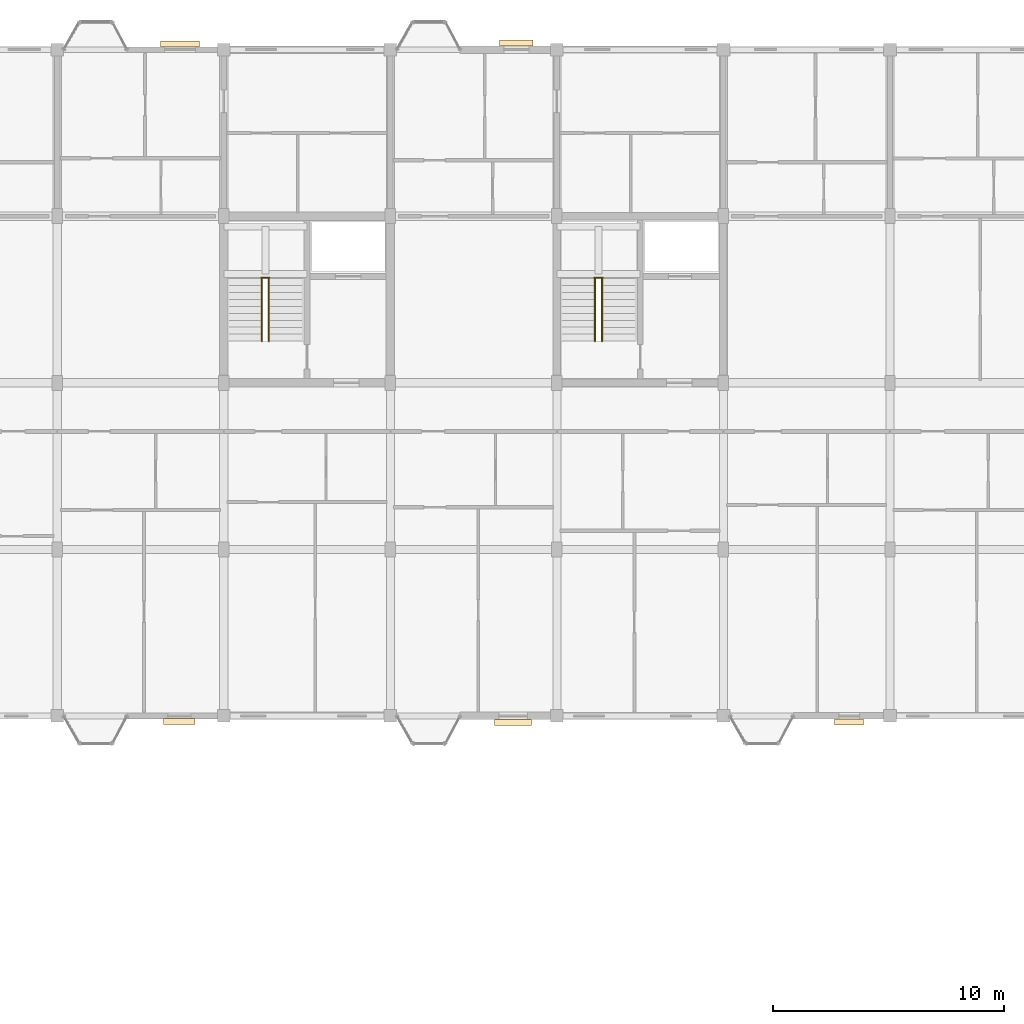
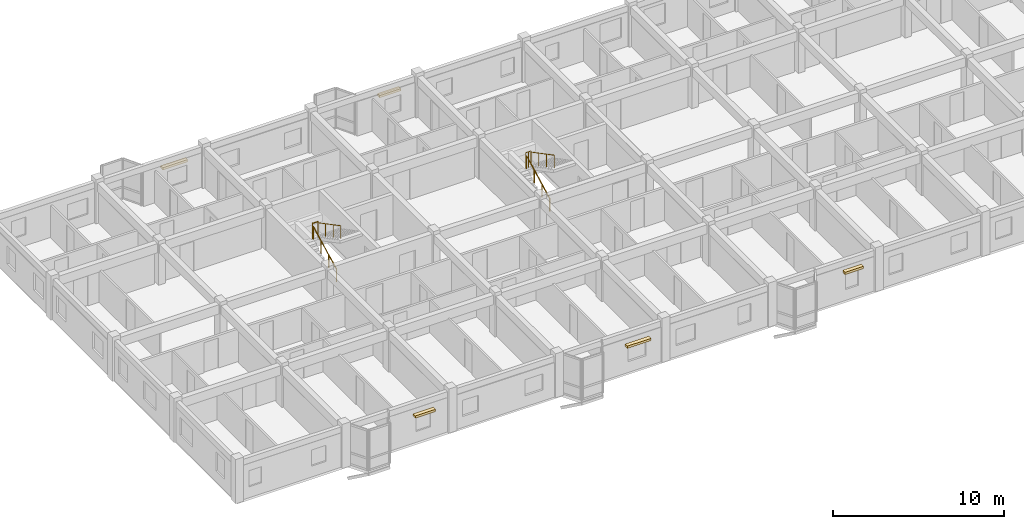
# One storey, part 77 of 77: 6 railings, 5 coverings.
"""IFC4 building model written with IfcOpenShell, lengths in metres."""

from ifc_helpers import new_model, si_unit, direction, frame, origin, origin_2d, place, context, subcontext, project, spatial, rectangle, circle, extrude, material, layer, layer_set, type_object, element, save


model = new_model("IFC4")

# Units and contexts
model_context = context("Model", 3, precision=1e-05, world=origin(), true_north=direction((0.0, 1.0)))
body_context = subcontext(model_context, "Body", "Model", "MODEL_VIEW")
ifc_project = project(units=[si_unit("LENGTHUNIT", "METRE"), si_unit("AREAUNIT", "SQUARE_METRE"), si_unit("VOLUMEUNIT", "CUBIC_METRE"), si_unit("PLANEANGLEUNIT", "RADIAN"), si_unit("MASSUNIT", "GRAM", prefix="KILO"), si_unit("THERMODYNAMICTEMPERATUREUNIT", "KELVIN"), si_unit("POWERUNIT", "WATT")], contexts=[model_context])

# Site, building, storey
site_placement = place(None, origin())
site = spatial("IfcSite", under=ifc_project, at=site_placement, CompositionType="ELEMENT")
building_placement = place(site_placement, origin())
building = spatial("IfcBuilding", under=site, at=building_placement, Name="Tavuni Mirador Residences", CompositionType="ELEMENT")
storey_placement = place(building_placement, frame((0.0, 0.0, 17.10009765625)))
storey = spatial("IfcBuildingStorey", under=building, at=storey_placement, Name="L05", CompositionType="ELEMENT", Elevation=17.10009765625)

# Coverings
ifc_material_1 = material(Name="Natural coral limestone", Category="masonry")
ifc_layer = layer(ifc_material_1, 0.054931640625, Name="Natural coral limestone", Category="masonry")
ifc_layer_set = layer_set([ifc_layer], Name="Natural coral limestone")
covering_type = type_object("IfcCoveringType", Name="CVT-CLAD-CORAL", PredefinedType="CLADDING", material=ifc_layer_set)
covering_1_placement = place(storey_placement, frame((23.282470703125, 143.75048828125, 1.94970703125), z_axis=(0.0, 0.0, 1.0), x_axis=(1.0, 0.0, 0.0)))
element("IfcCovering", 1, at=covering_1_placement, inside=storey, type_object=covering_type, Name="HOOD-0657", PredefinedType="CLADDING", context=body_context, shape_type="SweptSolid", body=[
    extrude(rectangle(XDim=1.360107421875, YDim=0.260009765625, at=origin_2d()), origin(), (0.0, 0.0, 1.0), 0.159912109375),
])
covering_2_placement = place(storey_placement, frame((37.70751953125, 143.715576171875, 1.94970703125), z_axis=(0.0, 0.0, 1.0), x_axis=(1.0, 0.0, 0.0)))
element("IfcCovering", 2, at=covering_2_placement, inside=storey, type_object=covering_type, Name="HOOD-0658", PredefinedType="CLADDING", context=body_context, shape_type="SweptSolid", body=[
    extrude(rectangle(XDim=1.60009765625, YDim=0.260009765625, at=origin_2d()), origin(), (0.0, 0.0, 1.0), 0.159912109375),
])
covering_3_placement = place(storey_placement, frame((52.232421875, 143.72802734375, 2.06005859375), z_axis=(0.0, 0.0, 1.0), x_axis=(1.0, 0.0, 0.0)))
element("IfcCovering", 3, at=covering_3_placement, inside=storey, type_object=covering_type, Name="HOOD-0659", PredefinedType="CLADDING", context=body_context, shape_type="SweptSolid", body=[
    extrude(rectangle(XDim=1.239990234375, YDim=0.260009765625, at=origin_2d()), origin(), (0.0, 0.0, 1.0), 0.159912109375),
])
covering_4_placement = place(storey_placement, frame((37.847412109375, 173.08447265625, 1.94970703125), z_axis=(0.0, 0.0, 1.0), x_axis=(-1.0, 0.0, 0.0)))
element("IfcCovering", 4, at=covering_4_placement, inside=storey, type_object=covering_type, Name="HOOD-0660", PredefinedType="CLADDING", context=body_context, shape_type="SweptSolid", body=[
    extrude(rectangle(XDim=1.43994140625, YDim=0.260009765625, at=origin_2d()), origin(), (0.0, 0.0, 1.0), 0.159912109375),
])
covering_5_placement = place(storey_placement, frame((23.3076171875, 173.049560546875, 1.94970703125), z_axis=(0.0, 0.0, 1.0), x_axis=(-1.0, 0.0, 0.0)))
element("IfcCovering", 5, at=covering_5_placement, inside=storey, type_object=covering_type, Name="HOOD-0661", PredefinedType="CLADDING", context=body_context, shape_type="SweptSolid", body=[
    extrude(rectangle(XDim=1.679931640625, YDim=0.260009765625, at=origin_2d()), origin(), (0.0, 0.0, 1.0), 0.159912109375),
])

# Railings
ifc_material_2 = material(Name="Structural steel S355", Category="steel")
railing_type_1 = type_object("IfcRailingType", Name="RT-GR1120", PredefinedType="GUARDRAIL", material=ifc_material_2)
railing_1_placement = place(storey_placement, frame((26.820068359375, 162.93994140625, 1.574951171875)))
element("IfcRailing", 6, at=railing_1_placement, inside=storey, type_object=railing_type_1, Name="GRD-HL-ST5-L05", PredefinedType="GUARDRAIL", context=body_context, shape_type="SweptSolid", body=[
    extrude(circle(Radius=0.02392578125, at=origin_2d()), frame((0.0, 0.0, 1.09619140625), z_axis=(1.0, 0.0, 0.0), x_axis=(0.0, 1.0, 0.0)), (0.0, 0.0, 1.0), 0.35986328125),
    extrude(circle(Radius=0.02099609375, at=origin_2d()), origin(), (0.0, 0.0, 1.0), 1.072021484375),
    extrude(circle(Radius=0.02099609375, at=origin_2d()), frame((0.35986328125, 0.0, 0.0)), (0.0, 0.0, 1.0), 1.072021484375),
])
railing_2_placement = place(storey_placement, frame((41.219970703125, 162.93994140625, 1.574951171875)))
element("IfcRailing", 7, at=railing_2_placement, inside=storey, type_object=railing_type_1, Name="GRD-HL-ST6-L05", PredefinedType="GUARDRAIL", context=body_context, shape_type="SweptSolid", body=[
    extrude(circle(Radius=0.02392578125, at=origin_2d()), frame((0.0, 0.0, 1.09619140625), z_axis=(1.0, 0.0, 0.0), x_axis=(0.0, 1.0, 0.0)), (0.0, 0.0, 1.0), 0.360107421875),
    extrude(circle(Radius=0.02099609375, at=origin_2d()), origin(), (0.0, 0.0, 1.0), 1.072021484375),
    extrude(circle(Radius=0.02099609375, at=origin_2d()), frame((0.18017578125, 0.0, 0.0)), (0.0, 0.0, 1.0), 1.072021484375),
    extrude(circle(Radius=0.02099609375, at=origin_2d()), frame((0.360107421875, 0.0, 0.0)), (0.0, 0.0, 1.0), 1.072021484375),
])
railing_type_2 = type_object("IfcRailingType", Name="RT-HR920", PredefinedType="HANDRAIL", material=ifc_material_2)
railing_3_placement = place(storey_placement, frame((26.85009765625, 160.199951171875, 0.157470703125)))
element("IfcRailing", 8, at=railing_3_placement, inside=storey, type_object=railing_type_2, Name="HR-ST5-L05-F1", PredefinedType="HANDRAIL", context=body_context, shape_type="SweptSolid", body=[
    extrude(circle(Radius=0.02392578125, at=origin_2d()), frame((0.0, 0.0, 0.89599609375), z_axis=(0.0, 0.885397079081, 0.464835468048), x_axis=(-1.0, 0.0, 0.0)), (0.0, 0.0, 1.0), 3.04931640625),
    extrude(circle(Radius=0.02099609375, at=origin_2d()), origin(), (0.0, 0.0, 1.0), 0.871826171875),
    extrude(circle(Radius=0.02099609375, at=origin_2d()), frame((0.0, 0.89990234375, 0.472412109375)), (0.0, 0.0, 1.0), 0.871826171875),
    extrude(circle(Radius=0.02099609375, at=origin_2d()), frame((0.0, 1.800048828125, 0.945068359375)), (0.0, 0.0, 1.0), 0.871826171875),
    extrude(circle(Radius=0.02099609375, at=origin_2d()), frame((0.0, 2.699951171875, 1.41748046875)), (0.0, 0.0, 1.0), 0.871826171875),
])
railing_4_placement = place(storey_placement, frame((27.14990234375, 162.89990234375, 1.732421875)))
element("IfcRailing", 9, at=railing_4_placement, inside=storey, type_object=railing_type_2, Name="HR-ST5-L05-F2", PredefinedType="HANDRAIL", context=body_context, shape_type="SweptSolid", body=[
    extrude(circle(Radius=0.02392578125, at=origin_2d()), frame((0.0, 0.0, 0.89599609375), z_axis=(0.0, -0.885397079081, 0.464835468048), x_axis=(1.0, 0.0, 0.0)), (0.0, 0.0, 1.0), 3.04931640625),
    extrude(circle(Radius=0.02099609375, at=origin_2d()), origin(), (0.0, 0.0, 1.0), 0.871826171875),
    extrude(circle(Radius=0.02099609375, at=origin_2d()), frame((0.0, -0.89990234375, 0.472412109375)), (0.0, 0.0, 1.0), 0.871826171875),
    extrude(circle(Radius=0.02099609375, at=origin_2d()), frame((0.0, -1.800048828125, 0.945068359375)), (0.0, 0.0, 1.0), 0.871826171875),
    extrude(circle(Radius=0.02099609375, at=origin_2d()), frame((0.0, -2.699951171875, 1.41748046875)), (0.0, 0.0, 1.0), 0.871826171875),
])
railing_5_placement = place(storey_placement, frame((41.25, 160.199951171875, 0.157470703125)))
element("IfcRailing", 10, at=railing_5_placement, inside=storey, type_object=railing_type_2, Name="HR-ST6-L05-F1", PredefinedType="HANDRAIL", context=body_context, shape_type="SweptSolid", body=[
    extrude(circle(Radius=0.02392578125, at=origin_2d()), frame((0.0, 0.0, 0.89599609375), z_axis=(0.0, 0.885397079081, 0.464835468048), x_axis=(-1.0, 0.0, 0.0)), (0.0, 0.0, 1.0), 3.04931640625),
    extrude(circle(Radius=0.02099609375, at=origin_2d()), origin(), (0.0, 0.0, 1.0), 0.871826171875),
    extrude(circle(Radius=0.02099609375, at=origin_2d()), frame((0.0, 0.89990234375, 0.472412109375)), (0.0, 0.0, 1.0), 0.871826171875),
    extrude(circle(Radius=0.02099609375, at=origin_2d()), frame((0.0, 1.800048828125, 0.945068359375)), (0.0, 0.0, 1.0), 0.871826171875),
    extrude(circle(Radius=0.02099609375, at=origin_2d()), frame((0.0, 2.699951171875, 1.41748046875)), (0.0, 0.0, 1.0), 0.871826171875),
])
railing_6_placement = place(storey_placement, frame((41.550048828125, 162.89990234375, 1.732421875)))
element("IfcRailing", 11, at=railing_6_placement, inside=storey, type_object=railing_type_2, Name="HR-ST6-L05-F2", PredefinedType="HANDRAIL", context=body_context, shape_type="SweptSolid", body=[
    extrude(circle(Radius=0.02392578125, at=origin_2d()), frame((0.0, 0.0, 0.89599609375), z_axis=(0.0, -0.885397079081, 0.464835468048), x_axis=(1.0, 0.0, 0.0)), (0.0, 0.0, 1.0), 3.04931640625),
    extrude(circle(Radius=0.02099609375, at=origin_2d()), origin(), (0.0, 0.0, 1.0), 0.871826171875),
    extrude(circle(Radius=0.02099609375, at=origin_2d()), frame((0.0, -0.89990234375, 0.472412109375)), (0.0, 0.0, 1.0), 0.871826171875),
    extrude(circle(Radius=0.02099609375, at=origin_2d()), frame((0.0, -1.800048828125, 0.945068359375)), (0.0, 0.0, 1.0), 0.871826171875),
    extrude(circle(Radius=0.02099609375, at=origin_2d()), frame((0.0, -2.699951171875, 1.41748046875)), (0.0, 0.0, 1.0), 0.871826171875),
])

save(model, "model.ifc")
